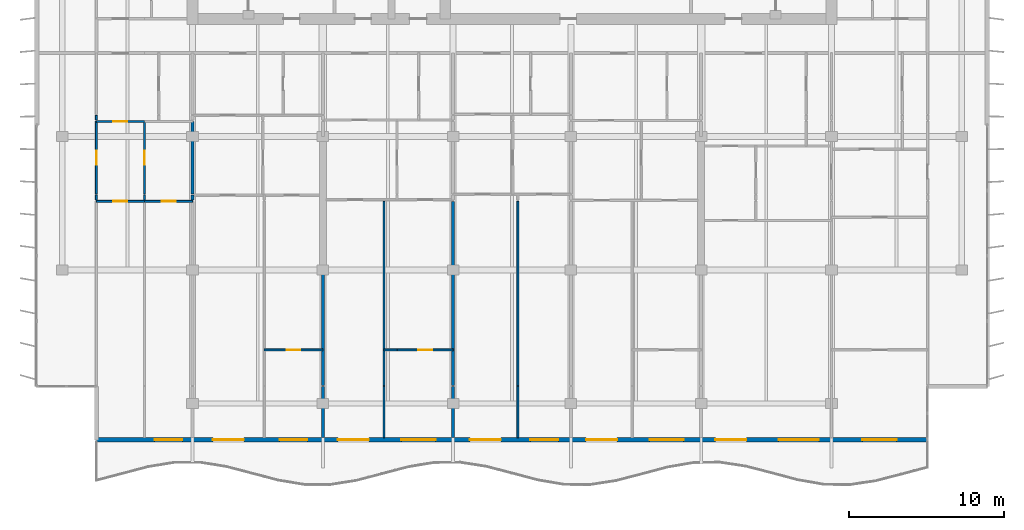
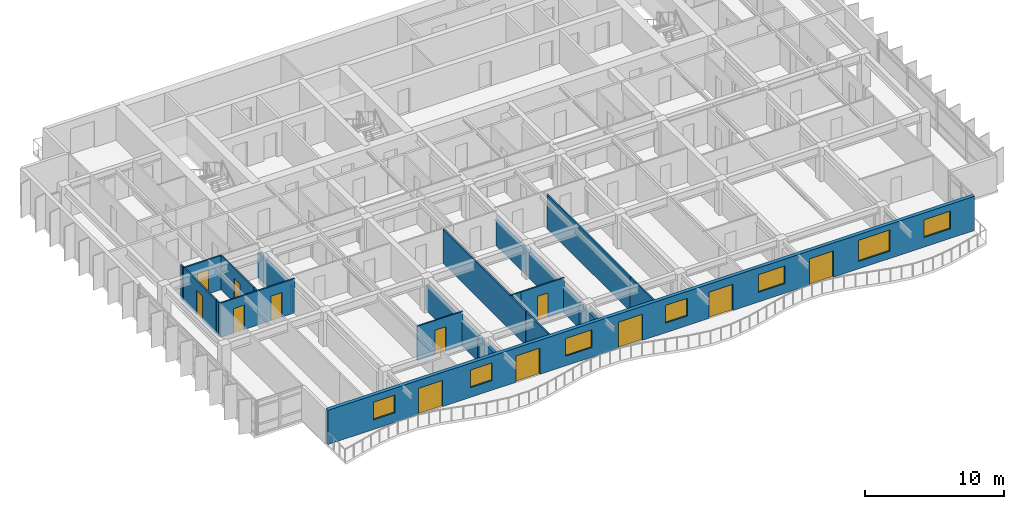
# One storey, part 6 of 16: 22 walls, 12 doors, 7 windows, 19 openings.
"""IFC4 building model written with IfcOpenShell, lengths in metres."""

from ifc_helpers import new_model, si_unit, direction, frame, frame_2d, origin, place, context, subcontext, project, spatial, rectangle, extrude, material, layer, layer_set, type_object, element, fill, save


model = new_model("IFC4")

# Units and contexts
model_context = context("Model", 3, precision=1e-05, world=origin(), true_north=direction((0.0, 1.0)))
body_context = subcontext(model_context, "Body", "Model", "MODEL_VIEW")
ifc_project = project(units=[si_unit("LENGTHUNIT", "METRE"), si_unit("AREAUNIT", "SQUARE_METRE"), si_unit("VOLUMEUNIT", "CUBIC_METRE"), si_unit("PLANEANGLEUNIT", "RADIAN"), si_unit("MASSUNIT", "GRAM", prefix="KILO")], contexts=[model_context])

# Site, building, storey
site_placement = place(None, origin())
site = spatial("IfcSite", under=ifc_project, at=site_placement, CompositionType="ELEMENT")
building_placement = place(site_placement, origin())
building = spatial("IfcBuilding", under=site, at=building_placement, Name="Caelmar Bay Residences", CompositionType="ELEMENT")
storey_placement = place(building_placement, frame((0.0, 0.0, 266.10009765625)))
storey = spatial("IfcBuildingStorey", under=building, at=storey_placement, Name="L75", CompositionType="ELEMENT", Elevation=266.10009765625)

# Wall, openings, doors, windows
ifc_material_1 = material(Name="Precast concrete f'c 40 MPa (6,000 psi)", Category="concrete")
ifc_layer_1 = layer(ifc_material_1, 0.300048828125)
ifc_layer_set_1 = layer_set([ifc_layer_1], Name="Precast concrete f'c 40 MPa (6,000 psi)")
wall_type_1 = type_object("IfcWallType", Name="W-EXT-300", PredefinedType="STANDARD", material=ifc_layer_set_1)
wall_1_placement = place(storey_placement, frame((65.699951171875, 9.85009765625, 0.0), z_axis=(0.0, 0.0, 1.0), x_axis=(-1.0, 0.0, 0.0)))
wall_1 = element("IfcWall", 1, at=wall_1_placement, inside=storey, type_object=wall_type_1, Name="L75 South Bayfront Exterior Wall", PredefinedType="STANDARD", context=body_context, shape_type="SweptSolid", body=[
    extrude(rectangle(XDim=53.599853515625, YDim=0.300048828125, at=frame_2d((26.7998046875, 0.0))), origin(), (0.0, 0.0, 1.0), 3.0),
])
opening_1_placement = place(wall_1_placement, frame((48.050048828125, 0.0, 0.85009765625)))
opening_1 = element("IfcOpeningElement", 2, at=opening_1_placement, cuts=wall_1, Name="Opening WN1", PredefinedType="OPENING", context=body_context, shape_type="SweptSolid", body=[
    extrude(rectangle(XDim=1.800048828125, YDim=1.550048828125, at=frame_2d((0.89990234375, 0.77490234375))), frame((0.0, 0.159912109375, 0.0), z_axis=(0.0, -1.0, 0.0), x_axis=(1.0, 0.0, 0.0)), (0.0, 0.0, 1.0), 0.320068359375),
])
opening_2_placement = place(wall_1_placement, frame((44.090087890625, 0.0, 0.0)))
opening_2 = element("IfcOpeningElement", 3, at=opening_2_placement, cuts=wall_1, Name="Opening L75-BD01", PredefinedType="OPENING", context=body_context, shape_type="SweptSolid", body=[
    extrude(rectangle(XDim=2.0, YDim=2.300048828125, at=frame_2d((1.0, 1.14990234375))), frame((0.0, 0.159912109375, 0.0), z_axis=(0.0, -1.0, 0.0), x_axis=(1.0, 0.0, 0.0)), (0.0, 0.0, 1.0), 0.320068359375),
])
opening_3_placement = place(wall_1_placement, frame((39.989990234375, 0.0, 0.85009765625)))
opening_3 = element("IfcOpeningElement", 4, at=opening_3_placement, cuts=wall_1, Name="Opening WN1", PredefinedType="OPENING", context=body_context, shape_type="SweptSolid", body=[
    extrude(rectangle(XDim=1.800048828125, YDim=1.550048828125, at=frame_2d((0.89990234375, 0.77490234375))), frame((0.0, 0.159912109375, 0.0), z_axis=(0.0, -1.0, 0.0), x_axis=(1.0, 0.0, 0.0)), (0.0, 0.0, 1.0), 0.320068359375),
])
opening_4_placement = place(wall_1_placement, frame((36.02587890625, 0.0, 0.0)))
opening_4 = element("IfcOpeningElement", 5, at=opening_4_placement, cuts=wall_1, Name="Opening L75-BD02", PredefinedType="OPENING", context=body_context, shape_type="SweptSolid", body=[
    extrude(rectangle(XDim=2.0, YDim=2.300048828125, at=frame_2d((1.0, 1.14990234375))), frame((0.0, 0.159912109375, 0.0), z_axis=(0.0, -1.0, 0.0), x_axis=(1.0, 0.0, 0.0)), (0.0, 0.0, 1.0), 0.320068359375),
])
opening_5_placement = place(wall_1_placement, frame((31.72607421875, 0.0, 0.85009765625)))
opening_5 = element("IfcOpeningElement", 6, at=opening_5_placement, cuts=wall_1, Name="Opening WN2", PredefinedType="OPENING", context=body_context, shape_type="SweptSolid", body=[
    extrude(rectangle(XDim=2.199951171875, YDim=1.550048828125, at=frame_2d((1.10009765625, 0.77490234375))), frame((0.0, 0.159912109375, 0.0), z_axis=(0.0, -1.0, 0.0), x_axis=(1.0, 0.0, 0.0)), (0.0, 0.0, 1.0), 0.320068359375),
])
opening_6_placement = place(wall_1_placement, frame((27.510009765625, 0.0, 0.0)))
opening_6 = element("IfcOpeningElement", 7, at=opening_6_placement, cuts=wall_1, Name="Opening L75-BD03", PredefinedType="OPENING", context=body_context, shape_type="SweptSolid", body=[
    extrude(rectangle(XDim=2.0, YDim=2.300048828125, at=frame_2d((1.0, 1.14990234375))), frame((0.0, 0.159912109375, 0.0), z_axis=(0.0, -1.0, 0.0), x_axis=(1.0, 0.0, 0.0)), (0.0, 0.0, 1.0), 0.320068359375),
])
opening_7_placement = place(wall_1_placement, frame((23.81005859375, 0.0, 0.85009765625)))
opening_7 = element("IfcOpeningElement", 8, at=opening_7_placement, cuts=wall_1, Name="Opening WN1", PredefinedType="OPENING", context=body_context, shape_type="SweptSolid", body=[
    extrude(rectangle(XDim=1.800048828125, YDim=1.550048828125, at=frame_2d((0.89990234375, 0.77490234375))), frame((0.0, 0.159912109375, 0.0), z_axis=(0.0, -1.0, 0.0), x_axis=(1.0, 0.0, 0.0)), (0.0, 0.0, 1.0), 0.320068359375),
])
opening_8_placement = place(wall_1_placement, frame((20.02587890625, 0.0, 0.0)))
opening_8 = element("IfcOpeningElement", 9, at=opening_8_placement, cuts=wall_1, Name="Opening L75-BD04", PredefinedType="OPENING", context=body_context, shape_type="SweptSolid", body=[
    extrude(rectangle(XDim=2.0, YDim=2.300048828125, at=frame_2d((1.0, 1.14990234375))), frame((0.0, 0.159912109375, 0.0), z_axis=(0.0, -1.0, 0.0), x_axis=(1.0, 0.0, 0.0)), (0.0, 0.0, 1.0), 0.320068359375),
])
opening_9_placement = place(wall_1_placement, frame((15.72607421875, 0.0, 0.85009765625)))
opening_9 = element("IfcOpeningElement", 10, at=opening_9_placement, cuts=wall_1, Name="Opening WN2", PredefinedType="OPENING", context=body_context, shape_type="SweptSolid", body=[
    extrude(rectangle(XDim=2.199951171875, YDim=1.550048828125, at=frame_2d((1.10009765625, 0.77490234375))), frame((0.0, 0.159912109375, 0.0), z_axis=(0.0, -1.0, 0.0), x_axis=(1.0, 0.0, 0.0)), (0.0, 0.0, 1.0), 0.320068359375),
])
opening_10_placement = place(wall_1_placement, frame((11.68994140625, 0.0, 0.0)))
opening_10 = element("IfcOpeningElement", 11, at=opening_10_placement, cuts=wall_1, Name="Opening L75-BD05", PredefinedType="OPENING", context=body_context, shape_type="SweptSolid", body=[
    extrude(rectangle(XDim=2.0, YDim=2.300048828125, at=frame_2d((1.0, 1.14990234375))), frame((0.0, 0.159912109375, 0.0), z_axis=(0.0, -1.0, 0.0), x_axis=(1.0, 0.0, 0.0)), (0.0, 0.0, 1.0), 0.320068359375),
])
opening_11_placement = place(wall_1_placement, frame((7.010009765625, 0.0, 0.64990234375)))
opening_11 = element("IfcOpeningElement", 12, at=opening_11_placement, cuts=wall_1, Name="Opening WN3", PredefinedType="OPENING", context=body_context, shape_type="SweptSolid", body=[
    extrude(rectangle(XDim=2.60009765625, YDim=1.85009765625, at=frame_2d((1.300048828125, 0.925048828125))), frame((0.0, 0.159912109375, 0.0), z_axis=(0.0, -1.0, 0.0), x_axis=(1.0, 0.0, 0.0)), (0.0, 0.0, 1.0), 0.320068359375),
])
opening_12_placement = place(wall_1_placement, frame((2.0, 0.0, 0.85009765625)))
opening_12 = element("IfcOpeningElement", 13, at=opening_12_placement, cuts=wall_1, Name="Opening WN2", PredefinedType="OPENING", context=body_context, shape_type="SweptSolid", body=[
    extrude(rectangle(XDim=2.199951171875, YDim=1.550048828125, at=frame_2d((1.10009765625, 0.77490234375))), frame((0.0, 0.159912109375, 0.0), z_axis=(0.0, -1.0, 0.0), x_axis=(1.0, 0.0, 0.0)), (0.0, 0.0, 1.0), 0.320068359375),
])
ifc_material_2 = material(Name="Anodised bronze thermally broken sliding glass door", Category="glass")
ifc_layer_2 = layer(ifc_material_2, 0.050048828125)
ifc_layer_set_2 = layer_set([ifc_layer_2], Name="Anodised bronze thermally broken sliding glass door")
door_type_1 = type_object("IfcDoorType", Name="D-BAL-2000", OperationType="DOUBLE_DOOR_SLIDING", PredefinedType="DOOR", material=ifc_layer_set_2)
door_1_placement = place(opening_2_placement, origin())
door_1 = element("IfcDoor", 14, at=door_1_placement, inside=storey, type_object=door_type_1, Name="L75 Residence 02 Living Room Balcony Door", OperationType="DOUBLE_DOOR_SLIDING", OverallHeight=2.300048828125, OverallWidth=2.0, PredefinedType="DOOR", context=body_context, shape_type="SweptSolid", body=[
    extrude(rectangle(XDim=2.0, YDim=2.300048828125, at=frame_2d((1.0, 1.14990234375))), frame((0.0, 0.02490234375, 0.0), z_axis=(0.0, -1.0, 0.0), x_axis=(1.0, 0.0, 0.0)), (0.0, 0.0, 1.0), 0.050048828125),
])
fill(opening_2, door_1)
door_2_placement = place(opening_4_placement, origin())
door_2 = element("IfcDoor", 15, at=door_2_placement, inside=storey, type_object=door_type_1, Name="L75 Residence 03 Living Room Balcony Door", OperationType="DOUBLE_DOOR_SLIDING", OverallHeight=2.300048828125, OverallWidth=2.0, PredefinedType="DOOR", context=body_context, shape_type="SweptSolid", body=[
    extrude(rectangle(XDim=2.0, YDim=2.300048828125, at=frame_2d((1.0, 1.14990234375))), frame((0.0, 0.02490234375, 0.0), z_axis=(0.0, -1.0, 0.0), x_axis=(1.0, 0.0, 0.0)), (0.0, 0.0, 1.0), 0.050048828125),
])
fill(opening_4, door_2)
door_3_placement = place(opening_6_placement, origin())
door_3 = element("IfcDoor", 16, at=door_3_placement, inside=storey, type_object=door_type_1, Name="L75 Residence 04 Living Room Balcony Door", OperationType="DOUBLE_DOOR_SLIDING", OverallHeight=2.300048828125, OverallWidth=2.0, PredefinedType="DOOR", context=body_context, shape_type="SweptSolid", body=[
    extrude(rectangle(XDim=2.0, YDim=2.300048828125, at=frame_2d((1.0, 1.14990234375))), frame((0.0, 0.02490234375, 0.0), z_axis=(0.0, -1.0, 0.0), x_axis=(1.0, 0.0, 0.0)), (0.0, 0.0, 1.0), 0.050048828125),
])
fill(opening_6, door_3)
door_4_placement = place(opening_8_placement, origin())
door_4 = element("IfcDoor", 17, at=door_4_placement, inside=storey, type_object=door_type_1, Name="L75 Residence 05 Living Room Balcony Door", OperationType="DOUBLE_DOOR_SLIDING", OverallHeight=2.300048828125, OverallWidth=2.0, PredefinedType="DOOR", context=body_context, shape_type="SweptSolid", body=[
    extrude(rectangle(XDim=2.0, YDim=2.300048828125, at=frame_2d((1.0, 1.14990234375))), frame((0.0, 0.02490234375, 0.0), z_axis=(0.0, -1.0, 0.0), x_axis=(1.0, 0.0, 0.0)), (0.0, 0.0, 1.0), 0.050048828125),
])
fill(opening_8, door_4)
door_5_placement = place(opening_10_placement, origin())
door_5 = element("IfcDoor", 18, at=door_5_placement, inside=storey, type_object=door_type_1, Name="L75 Residence 06 Penthouse Living Salon Balcony Door", OperationType="DOUBLE_DOOR_SLIDING", OverallHeight=2.300048828125, OverallWidth=2.0, PredefinedType="DOOR", context=body_context, shape_type="SweptSolid", body=[
    extrude(rectangle(XDim=2.0, YDim=2.300048828125, at=frame_2d((1.0, 1.14990234375))), frame((0.0, 0.02490234375, 0.0), z_axis=(0.0, -1.0, 0.0), x_axis=(1.0, 0.0, 0.0)), (0.0, 0.0, 1.0), 0.050048828125),
])
fill(opening_10, door_5)
ifc_material_3 = material(Name="Bronze aluminium frame with laminated low-E glass", Category="aluminium")
ifc_layer_3 = layer(ifc_material_3, 0.06005859375)
ifc_layer_set_3 = layer_set([ifc_layer_3], Name="Bronze aluminium frame with laminated low-E glass")
window_type_1 = type_object("IfcWindowType", Name="WIN-BR-1800", PartitioningType="SINGLE_PANEL", PredefinedType="WINDOW", material=ifc_layer_set_3)
window_1_placement = place(opening_1_placement, origin())
window_1 = element("IfcWindow", 19, at=window_1_placement, inside=storey, type_object=window_type_1, Name="L75 Residence 01 Primary Bedroom Window", OverallHeight=1.550048828125, OverallWidth=1.800048828125, PartitioningType="SINGLE_PANEL", PredefinedType="WINDOW", context=body_context, shape_type="SweptSolid", body=[
    extrude(rectangle(XDim=1.800048828125, YDim=1.550048828125, at=frame_2d((0.89990234375, 0.77490234375))), frame((0.0, 0.030029296875, 0.0), z_axis=(0.0, -1.0, 0.0), x_axis=(1.0, 0.0, 0.0)), (0.0, 0.0, 1.0), 0.06005859375),
])
fill(opening_1, window_1)
window_2_placement = place(opening_3_placement, origin())
window_2 = element("IfcWindow", 20, at=window_2_placement, inside=storey, type_object=window_type_1, Name="L75 Residence 02 Primary Bedroom Window", OverallHeight=1.550048828125, OverallWidth=1.800048828125, PartitioningType="SINGLE_PANEL", PredefinedType="WINDOW", context=body_context, shape_type="SweptSolid", body=[
    extrude(rectangle(XDim=1.800048828125, YDim=1.550048828125, at=frame_2d((0.89990234375, 0.77490234375))), frame((0.0, 0.030029296875, 0.0), z_axis=(0.0, -1.0, 0.0), x_axis=(1.0, 0.0, 0.0)), (0.0, 0.0, 1.0), 0.06005859375),
])
fill(opening_3, window_2)
window_3_placement = place(opening_7_placement, origin())
window_3 = element("IfcWindow", 21, at=window_3_placement, inside=storey, type_object=window_type_1, Name="L75 Residence 04 Primary Bedroom Window", OverallHeight=1.550048828125, OverallWidth=1.800048828125, PartitioningType="SINGLE_PANEL", PredefinedType="WINDOW", context=body_context, shape_type="SweptSolid", body=[
    extrude(rectangle(XDim=1.800048828125, YDim=1.550048828125, at=frame_2d((0.89990234375, 0.77490234375))), frame((0.0, 0.030029296875, 0.0), z_axis=(0.0, -1.0, 0.0), x_axis=(1.0, 0.0, 0.0)), (0.0, 0.0, 1.0), 0.06005859375),
])
fill(opening_7, window_3)
ifc_layer_4 = layer(ifc_material_3, 0.06005859375)
ifc_layer_set_4 = layer_set([ifc_layer_4], Name="Bronze aluminium frame with laminated low-E glass")
window_type_2 = type_object("IfcWindowType", Name="WIN-BR-2200", PartitioningType="SINGLE_PANEL", PredefinedType="WINDOW", material=ifc_layer_set_4)
window_4_placement = place(opening_5_placement, origin())
window_4 = element("IfcWindow", 22, at=window_4_placement, inside=storey, type_object=window_type_2, Name="L75 Residence 03 Primary Bedroom Window", OverallHeight=1.550048828125, OverallWidth=2.199951171875, PartitioningType="SINGLE_PANEL", PredefinedType="WINDOW", context=body_context, shape_type="SweptSolid", body=[
    extrude(rectangle(XDim=2.199951171875, YDim=1.550048828125, at=frame_2d((1.10009765625, 0.77490234375))), frame((0.0, 0.030029296875, 0.0), z_axis=(0.0, -1.0, 0.0), x_axis=(1.0, 0.0, 0.0)), (0.0, 0.0, 1.0), 0.06005859375),
])
fill(opening_5, window_4)
window_5_placement = place(opening_9_placement, origin())
window_5 = element("IfcWindow", 23, at=window_5_placement, inside=storey, type_object=window_type_2, Name="L75 Residence 05 Primary Bedroom Window", OverallHeight=1.550048828125, OverallWidth=2.199951171875, PartitioningType="SINGLE_PANEL", PredefinedType="WINDOW", context=body_context, shape_type="SweptSolid", body=[
    extrude(rectangle(XDim=2.199951171875, YDim=1.550048828125, at=frame_2d((1.10009765625, 0.77490234375))), frame((0.0, 0.030029296875, 0.0), z_axis=(0.0, -1.0, 0.0), x_axis=(1.0, 0.0, 0.0)), (0.0, 0.0, 1.0), 0.06005859375),
])
fill(opening_9, window_5)
window_6_placement = place(opening_12_placement, origin())
window_6 = element("IfcWindow", 24, at=window_6_placement, inside=storey, type_object=window_type_2, Name="L75 Residence 06 Primary Bedroom 1 Window", OverallHeight=1.550048828125, OverallWidth=2.199951171875, PartitioningType="SINGLE_PANEL", PredefinedType="WINDOW", context=body_context, shape_type="SweptSolid", body=[
    extrude(rectangle(XDim=2.199951171875, YDim=1.550048828125, at=frame_2d((1.10009765625, 0.77490234375))), frame((0.0, 0.030029296875, 0.0), z_axis=(0.0, -1.0, 0.0), x_axis=(1.0, 0.0, 0.0)), (0.0, 0.0, 1.0), 0.06005859375),
])
fill(opening_12, window_6)
ifc_layer_5 = layer(ifc_material_3, 0.06005859375)
ifc_layer_set_5 = layer_set([ifc_layer_5], Name="Bronze aluminium frame with laminated low-E glass")
window_type_3 = type_object("IfcWindowType", Name="WIN-LIV-2600", PartitioningType="SINGLE_PANEL", PredefinedType="WINDOW", material=ifc_layer_set_5)
window_7_placement = place(opening_11_placement, origin())
window_7 = element("IfcWindow", 25, at=window_7_placement, inside=storey, type_object=window_type_3, Name="L75 Residence 06 Penthouse Living Salon Panoramic Window", OverallHeight=1.85009765625, OverallWidth=2.60009765625, PartitioningType="SINGLE_PANEL", PredefinedType="WINDOW", context=body_context, shape_type="SweptSolid", body=[
    extrude(rectangle(XDim=2.60009765625, YDim=1.85009765625, at=frame_2d((1.300048828125, 0.925048828125))), frame((0.0, 0.030029296875, 0.0), z_axis=(0.0, -1.0, 0.0), x_axis=(1.0, 0.0, 0.0)), (0.0, 0.0, 1.0), 0.06005859375),
])
fill(opening_11, window_7)

# Wall
ifc_material_4 = material(Name="Acoustic metal-stud gypsum partition 120 mm")
ifc_layer_6 = layer(ifc_material_4, 0.1201171875)
ifc_layer_set_6 = layer_set([ifc_layer_6], Name="Acoustic metal-stud gypsum partition 120 mm")
wall_type_2 = type_object("IfcWallType", Name="W-PRT-120", PredefinedType="PARTITIONING", material=ifc_layer_set_6)
wall_2_placement = place(storey_placement, frame((12.10009765625, 25.330078125, 0.0), z_axis=(0.0, 0.0, 1.0), x_axis=(0.0, 1.0, 0.0)))
element("IfcWall", 26, at=wall_2_placement, inside=storey, type_object=wall_type_2, Name="L75 Partition Wall V002", PredefinedType="PARTITIONING", context=body_context, shape_type="SweptSolid", body=[
    extrude(rectangle(XDim=0.2998046875, YDim=0.1201171875, at=frame_2d((0.14990234375, 0.0))), origin(), (0.0, 0.0, 1.0), 3.0),
])

# Wall, opening, door
wall_3_placement = place(storey_placement, frame((12.10009765625, 25.68994140625, 0.0), z_axis=(0.0, 0.0, 1.0), x_axis=(0.0, 1.0, 0.0)))
wall_3 = element("IfcWall", 27, at=wall_3_placement, inside=storey, type_object=wall_type_2, Name="L75 Partition Wall V003", PredefinedType="PARTITIONING", context=body_context, shape_type="SweptSolid", body=[
    extrude(rectangle(XDim=4.68994140625, YDim=0.1201171875, at=frame_2d((2.344970703125, 0.0))), origin(), (0.0, 0.0, 1.0), 3.0),
])
opening_13_placement = place(wall_3_placement, frame((1.89501953125, 0.0, 0.0)))
opening_13 = element("IfcOpeningElement", 28, at=opening_13_placement, cuts=wall_3, Name="Opening D-L75-165", PredefinedType="OPENING", context=body_context, shape_type="SweptSolid", body=[
    extrude(rectangle(XDim=0.89990234375, YDim=2.14990234375, at=frame_2d((0.449951171875, 1.074951171875))), frame((0.0, 0.070068359375, 0.0), z_axis=(0.0, -1.0, 0.0), x_axis=(1.0, 0.0, 0.0)), (0.0, 0.0, 1.0), 0.14013671875),
])
ifc_material_5 = material(Name="Solid walnut timber interior door leaf and frame", Category="wood")
ifc_layer_7 = layer(ifc_material_5, 0.050048828125)
ifc_layer_set_7 = layer_set([ifc_layer_7], Name="Solid walnut timber interior door leaf and frame")
door_type_2 = type_object("IfcDoorType", Name="D-ROOM-900", OperationType="NOTDEFINED", PredefinedType="DOOR", material=ifc_layer_set_7)
door_6_placement = place(opening_13_placement, origin())
door_6 = element("IfcDoor", 29, at=door_6_placement, inside=storey, type_object=door_type_2, Name="L75 Residence 01 Penthouse West Salon Door", OperationType="SINGLE_SWING_LEFT", OverallHeight=2.14990234375, OverallWidth=0.89990234375, PredefinedType="DOOR", context=body_context, shape_type="SweptSolid", body=[
    extrude(rectangle(XDim=0.89990234375, YDim=2.14990234375, at=frame_2d((0.449951171875, 1.074951171875))), frame((0.0, 0.02490234375, 0.0), z_axis=(0.0, -1.0, 0.0), x_axis=(1.0, 0.0, 0.0)), (0.0, 0.0, 1.0), 0.050048828125),
])
fill(opening_13, door_6)

# Walls
wall_4_placement = place(storey_placement, frame((12.10009765625, 30.47998046875, 0.0), z_axis=(0.0, 0.0, 1.0), x_axis=(0.0, 1.0, 0.0)))
element("IfcWall", 30, at=wall_4_placement, inside=storey, type_object=wall_type_2, Name="L75 Partition Wall V004", PredefinedType="PARTITIONING", context=body_context, shape_type="SweptSolid", body=[
    extrude(rectangle(XDim=0.300048828125, YDim=0.1201171875, at=frame_2d((0.14990234375, 0.0))), origin(), (0.0, 0.0, 1.0), 3.0),
])
wall_5_placement = place(storey_placement, frame((15.197998046875, 25.330078125, 0.0), z_axis=(0.0, 0.0, 1.0), x_axis=(0.0, 1.0, 0.0)))
element("IfcWall", 31, at=wall_5_placement, inside=storey, type_object=wall_type_2, Name="L75 Partition Wall V008", PredefinedType="PARTITIONING", context=body_context, shape_type="SweptSolid", body=[
    extrude(rectangle(XDim=0.2998046875, YDim=0.1201171875, at=frame_2d((0.14990234375, 0.0))), origin(), (0.0, 0.0, 1.0), 3.0),
])

# Wall, opening, door
wall_6_placement = place(storey_placement, frame((15.197998046875, 25.68994140625, 0.0), z_axis=(0.0, 0.0, 1.0), x_axis=(0.0, 1.0, 0.0)))
wall_6 = element("IfcWall", 32, at=wall_6_placement, inside=storey, type_object=wall_type_2, Name="L75 Partition Wall V009", PredefinedType="PARTITIONING", context=body_context, shape_type="SweptSolid", body=[
    extrude(rectangle(XDim=4.68994140625, YDim=0.1201171875, at=frame_2d((2.344970703125, 0.0))), origin(), (0.0, 0.0, 1.0), 3.0),
])
opening_14_placement = place(wall_6_placement, frame((1.89501953125, 0.0, 0.0)))
opening_14 = element("IfcOpeningElement", 33, at=opening_14_placement, cuts=wall_6, Name="Opening D-L75-125", PredefinedType="OPENING", context=body_context, shape_type="SweptSolid", body=[
    extrude(rectangle(XDim=0.89990234375, YDim=2.14990234375, at=frame_2d((0.449951171875, 1.074951171875))), frame((0.0, 0.070068359375, 0.0), z_axis=(0.0, -1.0, 0.0), x_axis=(1.0, 0.0, 0.0)), (0.0, 0.0, 1.0), 0.14013671875),
])
door_7_placement = place(opening_14_placement, origin())
door_7 = element("IfcDoor", 34, at=door_7_placement, inside=storey, type_object=door_type_2, Name="L75 Residence 01 Private Reception Salon Door", OperationType="SINGLE_SWING_LEFT", OverallHeight=2.14990234375, OverallWidth=0.89990234375, PredefinedType="DOOR", context=body_context, shape_type="SweptSolid", body=[
    extrude(rectangle(XDim=0.89990234375, YDim=2.14990234375, at=frame_2d((0.449951171875, 1.074951171875))), frame((0.0, 0.02490234375, 0.0), z_axis=(0.0, -1.0, 0.0), x_axis=(1.0, 0.0, 0.0)), (0.0, 0.0, 1.0), 0.050048828125),
])
fill(opening_14, door_7)

# Walls
wall_7_placement = place(storey_placement, frame((30.64794921875, 9.9951171875, 0.0), z_axis=(0.0, 0.0, 1.0), x_axis=(0.0, 1.0, 0.0)))
element("IfcWall", 35, at=wall_7_placement, inside=storey, type_object=wall_type_2, Name="L75 Partition Wall V036", PredefinedType="PARTITIONING", context=body_context, shape_type="SweptSolid", body=[
    extrude(rectangle(XDim=3.304931640625, YDim=0.1201171875, at=frame_2d((1.65234375, 0.0))), origin(), (0.0, 0.0, 1.0), 3.0),
])
wall_8_placement = place(storey_placement, frame((30.64794921875, 13.340087890625, 0.0), z_axis=(0.0, 0.0, 1.0), x_axis=(0.0, 1.0, 0.0)))
element("IfcWall", 36, at=wall_8_placement, inside=storey, type_object=wall_type_2, Name="L75 Partition Wall V037", PredefinedType="PARTITIONING", context=body_context, shape_type="SweptSolid", body=[
    extrude(rectangle(XDim=11.889892578125, YDim=0.1201171875, at=frame_2d((5.94482421875, 0.0))), origin(), (0.0, 0.0, 1.0), 3.0),
])
wall_9_placement = place(storey_placement, frame((39.280029296875, 9.9951171875, 0.0), z_axis=(0.0, 0.0, 1.0), x_axis=(0.0, 1.0, 0.0)))
element("IfcWall", 37, at=wall_9_placement, inside=storey, type_object=wall_type_2, Name="L75 Partition Wall V051", PredefinedType="PARTITIONING", context=body_context, shape_type="SweptSolid", body=[
    extrude(rectangle(XDim=3.304931640625, YDim=0.1201171875, at=frame_2d((1.65234375, 0.0))), origin(), (0.0, 0.0, 1.0), 3.0),
])
wall_10_placement = place(storey_placement, frame((39.280029296875, 13.340087890625, 0.0), z_axis=(0.0, 0.0, 1.0), x_axis=(0.0, 1.0, 0.0)))
element("IfcWall", 38, at=wall_10_placement, inside=storey, type_object=wall_type_2, Name="L75 Partition Wall V052", PredefinedType="PARTITIONING", context=body_context, shape_type="SweptSolid", body=[
    extrude(rectangle(XDim=11.889892578125, YDim=0.1201171875, at=frame_2d((5.94482421875, 0.0))), origin(), (0.0, 0.0, 1.0), 3.0),
])

# Wall, opening, door
wall_11_placement = place(storey_placement, frame((22.919921875, 15.64990234375, 0.0), z_axis=(0.0, 0.0, 1.0), x_axis=(1.0, 0.0, 0.0)))
wall_11 = element("IfcWall", 39, at=wall_11_placement, inside=storey, type_object=wall_type_2, Name="L75 Partition Wall H104", PredefinedType="PARTITIONING", context=body_context, shape_type="SweptSolid", body=[
    extrude(rectangle(XDim=3.780029296875, YDim=0.1201171875, at=frame_2d((1.89013671875, 0.0))), origin(), (0.0, 0.0, 1.0), 3.0),
])
opening_15_placement = place(wall_11_placement, frame((1.43994140625, 0.0, 0.0)))
opening_15 = element("IfcOpeningElement", 40, at=opening_15_placement, cuts=wall_11, Name="Opening D-L75-134", PredefinedType="OPENING", context=body_context, shape_type="SweptSolid", body=[
    extrude(rectangle(XDim=0.89990234375, YDim=2.14990234375, at=frame_2d((0.449951171875, 1.074951171875))), frame((0.0, 0.070068359375, 0.0), z_axis=(0.0, -1.0, 0.0), x_axis=(1.0, 0.0, 0.0)), (0.0, 0.0, 1.0), 0.14013671875),
])
door_8_placement = place(opening_15_placement, origin())
door_8 = element("IfcDoor", 41, at=door_8_placement, inside=storey, type_object=door_type_2, Name="L75 Residence 02 Primary Bedroom Door", OperationType="SINGLE_SWING_RIGHT", OverallHeight=2.14990234375, OverallWidth=0.89990234375, PredefinedType="DOOR", context=body_context, shape_type="SweptSolid", body=[
    extrude(rectangle(XDim=0.89990234375, YDim=2.14990234375, at=frame_2d((0.449951171875, 1.074951171875))), frame((0.0, 0.02490234375, 0.0), z_axis=(0.0, -1.0, 0.0), x_axis=(1.0, 0.0, 0.0)), (0.0, 0.0, 1.0), 0.050048828125),
])
fill(opening_15, door_8)

# Wall
wall_12_placement = place(storey_placement, frame((30.64794921875, 15.64990234375, 0.0), z_axis=(0.0, 0.0, 1.0), x_axis=(1.0, 0.0, 0.0)))
element("IfcWall", 42, at=wall_12_placement, inside=storey, type_object=wall_type_2, Name="L75 Partition Wall H105", PredefinedType="PARTITIONING", context=body_context, shape_type="SweptSolid", body=[
    extrude(rectangle(XDim=0.838134765625, YDim=0.1201171875, at=frame_2d((0.4189453125, 0.0))), origin(), (0.0, 0.0, 1.0), 3.0),
])

# Wall, opening, door
wall_13_placement = place(storey_placement, frame((31.5, 15.64990234375, 0.0), z_axis=(0.0, 0.0, 1.0), x_axis=(1.0, 0.0, 0.0)))
wall_13 = element("IfcWall", 43, at=wall_13_placement, inside=storey, type_object=wall_type_2, Name="L75 Partition Wall H106", PredefinedType="PARTITIONING", context=body_context, shape_type="SweptSolid", body=[
    extrude(rectangle(XDim=3.60009765625, YDim=0.1201171875, at=frame_2d((1.800048828125, 0.0))), origin(), (0.0, 0.0, 1.0), 3.0),
])
opening_16_placement = place(wall_13_placement, frame((1.35009765625, 0.0, 0.0)))
opening_16 = element("IfcOpeningElement", 44, at=opening_16_placement, cuts=wall_13, Name="Opening D-L75-141", PredefinedType="OPENING", context=body_context, shape_type="SweptSolid", body=[
    extrude(rectangle(XDim=0.89990234375, YDim=2.14990234375, at=frame_2d((0.449951171875, 1.074951171875))), frame((0.0, 0.070068359375, 0.0), z_axis=(0.0, -1.0, 0.0), x_axis=(1.0, 0.0, 0.0)), (0.0, 0.0, 1.0), 0.14013671875),
])
door_9_placement = place(opening_16_placement, origin())
door_9 = element("IfcDoor", 45, at=door_9_placement, inside=storey, type_object=door_type_2, Name="L75 Residence 03 Primary Bedroom Door", OperationType="SINGLE_SWING_LEFT", OverallHeight=2.14990234375, OverallWidth=0.89990234375, PredefinedType="DOOR", context=body_context, shape_type="SweptSolid", body=[
    extrude(rectangle(XDim=0.89990234375, YDim=2.14990234375, at=frame_2d((0.449951171875, 1.074951171875))), frame((0.0, 0.02490234375, 0.0), z_axis=(0.0, -1.0, 0.0), x_axis=(1.0, 0.0, 0.0)), (0.0, 0.0, 1.0), 0.050048828125),
])
fill(opening_16, door_9)

wall_14_placement = place(storey_placement, frame((12.10009765625, 25.22998046875, 0.0), z_axis=(0.0, 0.0, 1.0), x_axis=(1.0, 0.0, 0.0)))
wall_14 = element("IfcWall", 46, at=wall_14_placement, inside=storey, type_object=wall_type_2, Name="L75 Partition Wall H111", PredefinedType="PARTITIONING", context=body_context, shape_type="SweptSolid", body=[
    extrude(rectangle(XDim=3.097900390625, YDim=0.1201171875, at=frame_2d((1.548828125, 0.0))), origin(), (0.0, 0.0, 1.0), 3.0),
])
opening_17_placement = place(wall_14_placement, frame((1.09912109375, 0.0, 0.0)))
opening_17 = element("IfcOpeningElement", 47, at=opening_17_placement, cuts=wall_14, Name="Opening D-L75-126", PredefinedType="OPENING", context=body_context, shape_type="SweptSolid", body=[
    extrude(rectangle(XDim=0.89990234375, YDim=2.14990234375, at=frame_2d((0.449951171875, 1.074951171875))), frame((0.0, 0.070068359375, 0.0), z_axis=(0.0, -1.0, 0.0), x_axis=(1.0, 0.0, 0.0)), (0.0, 0.0, 1.0), 0.14013671875),
])
door_10_placement = place(opening_17_placement, origin())
door_10 = element("IfcDoor", 48, at=door_10_placement, inside=storey, type_object=door_type_2, Name="L75 Residence 01 Living Room Door", OperationType="SINGLE_SWING_RIGHT", OverallHeight=2.14990234375, OverallWidth=0.89990234375, PredefinedType="DOOR", context=body_context, shape_type="SweptSolid", body=[
    extrude(rectangle(XDim=0.89990234375, YDim=2.14990234375, at=frame_2d((0.449951171875, 1.074951171875))), frame((0.0, 0.02490234375, 0.0), z_axis=(0.0, -1.0, 0.0), x_axis=(1.0, 0.0, 0.0)), (0.0, 0.0, 1.0), 0.050048828125),
])
fill(opening_17, door_10)

wall_15_placement = place(storey_placement, frame((15.202880859375, 25.22998046875, 0.0), z_axis=(0.0, 0.0, 1.0), x_axis=(1.0, 0.0, 0.0)))
wall_15 = element("IfcWall", 49, at=wall_15_placement, inside=storey, type_object=wall_type_2, Name="L75 Partition Wall H112", PredefinedType="PARTITIONING", context=body_context, shape_type="SweptSolid", body=[
    extrude(rectangle(XDim=3.09716796875, YDim=0.1201171875, at=frame_2d((1.548583984375, 0.0))), origin(), (0.0, 0.0, 1.0), 3.0),
])
opening_18_placement = place(wall_15_placement, frame((1.098388671875, 0.0, 0.0)))
opening_18 = element("IfcOpeningElement", 50, at=opening_18_placement, cuts=wall_15, Name="Opening D-L75-127", PredefinedType="OPENING", context=body_context, shape_type="SweptSolid", body=[
    extrude(rectangle(XDim=0.89990234375, YDim=2.14990234375, at=frame_2d((0.449951171875, 1.074951171875))), frame((0.0, 0.070068359375, 0.0), z_axis=(0.0, -1.0, 0.0), x_axis=(1.0, 0.0, 0.0)), (0.0, 0.0, 1.0), 0.14013671875),
])
door_11_placement = place(opening_18_placement, origin())
door_11 = element("IfcDoor", 51, at=door_11_placement, inside=storey, type_object=door_type_2, Name="L75 Residence 01 Primary Bedroom Door", OperationType="SINGLE_SWING_LEFT", OverallHeight=2.14990234375, OverallWidth=0.89990234375, PredefinedType="DOOR", context=body_context, shape_type="SweptSolid", body=[
    extrude(rectangle(XDim=0.89990234375, YDim=2.14990234375, at=frame_2d((0.449951171875, 1.074951171875))), frame((0.0, 0.02490234375, 0.0), z_axis=(0.0, -1.0, 0.0), x_axis=(1.0, 0.0, 0.0)), (0.0, 0.0, 1.0), 0.050048828125),
])
fill(opening_18, door_11)

wall_16_placement = place(storey_placement, frame((12.10009765625, 30.3798828125, 0.0), z_axis=(0.0, 0.0, 1.0), x_axis=(1.0, 0.0, 0.0)))
wall_16 = element("IfcWall", 52, at=wall_16_placement, inside=storey, type_object=wall_type_2, Name="L75 Partition Wall H120", PredefinedType="PARTITIONING", context=body_context, shape_type="SweptSolid", body=[
    extrude(rectangle(XDim=3.097900390625, YDim=0.1201171875, at=frame_2d((1.548828125, 0.0))), origin(), (0.0, 0.0, 1.0), 3.0),
])
opening_19_placement = place(wall_16_placement, frame((1.09912109375, 0.0, 0.0)))
opening_19 = element("IfcOpeningElement", 53, at=opening_19_placement, cuts=wall_16, Name="Opening D-L75-124", PredefinedType="OPENING", context=body_context, shape_type="SweptSolid", body=[
    extrude(rectangle(XDim=0.89990234375, YDim=2.14990234375, at=frame_2d((0.449951171875, 1.074951171875))), frame((0.0, 0.070068359375, 0.0), z_axis=(0.0, -1.0, 0.0), x_axis=(1.0, 0.0, 0.0)), (0.0, 0.0, 1.0), 0.14013671875),
])
door_12_placement = place(opening_19_placement, origin())
door_12 = element("IfcDoor", 54, at=door_12_placement, inside=storey, type_object=door_type_2, Name="L75 Residence 01 Kitchen Door", OperationType="SINGLE_SWING_RIGHT", OverallHeight=2.14990234375, OverallWidth=0.89990234375, PredefinedType="DOOR", context=body_context, shape_type="SweptSolid", body=[
    extrude(rectangle(XDim=0.89990234375, YDim=2.14990234375, at=frame_2d((0.449951171875, 1.074951171875))), frame((0.0, 0.02490234375, 0.0), z_axis=(0.0, -1.0, 0.0), x_axis=(1.0, 0.0, 0.0)), (0.0, 0.0, 1.0), 0.050048828125),
])
fill(opening_19, door_12)

# Walls
ifc_material_6 = material(Name="Acoustic twin-stud fire-rated inter-tenancy partition 200 mm")
ifc_layer_8 = layer(ifc_material_6, 0.199951171875)
ifc_layer_set_8 = layer_set([ifc_layer_8], Name="Acoustic twin-stud fire-rated inter-tenancy partition 200 mm")
wall_type_3 = type_object("IfcWallType", Name="W-PTY-200", PredefinedType="PARTITIONING", material=ifc_layer_set_8)
wall_17_placement = place(storey_placement, frame((18.300048828125, 25.330078125, 0.0), z_axis=(0.0, 0.0, 1.0), x_axis=(0.0, 1.0, 0.0)))
element("IfcWall", 55, at=wall_17_placement, inside=storey, type_object=wall_type_3, Name="L75 Partition Wall V017", PredefinedType="PARTITIONING", context=body_context, shape_type="SweptSolid", body=[
    extrude(rectangle(XDim=0.2998046875, YDim=0.199951171875, at=frame_2d((0.14990234375, 0.0))), origin(), (0.0, 0.0, 1.0), 2.212890625),
])
wall_18_placement = place(storey_placement, frame((18.300048828125, 25.68994140625, 0.0), z_axis=(0.0, 0.0, 1.0), x_axis=(0.0, 1.0, 0.0)))
element("IfcWall", 56, at=wall_18_placement, inside=storey, type_object=wall_type_3, Name="L75 Partition Wall V018", PredefinedType="PARTITIONING", context=body_context, shape_type="SweptSolid", body=[
    extrude(rectangle(XDim=4.68994140625, YDim=0.199951171875, at=frame_2d((2.344970703125, 0.0))), origin(), (0.0, 0.0, 1.0), 2.212890625),
])
wall_19_placement = place(storey_placement, frame((26.699951171875, 9.9951171875, 0.0), z_axis=(0.0, 0.0, 1.0), x_axis=(0.0, 1.0, 0.0)))
element("IfcWall", 57, at=wall_19_placement, inside=storey, type_object=wall_type_3, Name="L75 Partition Wall V029", PredefinedType="PARTITIONING", context=body_context, shape_type="SweptSolid", body=[
    extrude(rectangle(XDim=3.304931640625, YDim=0.199951171875, at=frame_2d((1.65234375, 0.0))), origin(), (0.0, 0.0, 1.0), 2.212890625),
])
wall_20_placement = place(storey_placement, frame((26.699951171875, 13.340087890625, 0.0), z_axis=(0.0, 0.0, 1.0), x_axis=(0.0, 1.0, 0.0)))
element("IfcWall", 58, at=wall_20_placement, inside=storey, type_object=wall_type_3, Name="L75 Partition Wall V030", PredefinedType="PARTITIONING", context=body_context, shape_type="SweptSolid", body=[
    extrude(rectangle(XDim=7.454833984375, YDim=0.199951171875, at=frame_2d((3.7275390625, 0.0))), origin(), (0.0, 0.0, 1.0), 2.212890625),
])
wall_21_placement = place(storey_placement, frame((35.10009765625, 9.9951171875, 0.0), z_axis=(0.0, 0.0, 1.0), x_axis=(0.0, 1.0, 0.0)))
element("IfcWall", 59, at=wall_21_placement, inside=storey, type_object=wall_type_3, Name="L75 Partition Wall V043", PredefinedType="PARTITIONING", context=body_context, shape_type="SweptSolid", body=[
    extrude(rectangle(XDim=3.304931640625, YDim=0.199951171875, at=frame_2d((1.65234375, 0.0))), origin(), (0.0, 0.0, 1.0), 2.212890625),
])
wall_22_placement = place(storey_placement, frame((35.10009765625, 13.340087890625, 0.0), z_axis=(0.0, 0.0, 1.0), x_axis=(0.0, 1.0, 0.0)))
element("IfcWall", 60, at=wall_22_placement, inside=storey, type_object=wall_type_3, Name="L75 Partition Wall V044", PredefinedType="PARTITIONING", context=body_context, shape_type="SweptSolid", body=[
    extrude(rectangle(XDim=11.889892578125, YDim=0.199951171875, at=frame_2d((5.94482421875, 0.0))), origin(), (0.0, 0.0, 1.0), 2.212890625),
])

save(model, "model.ifc")
